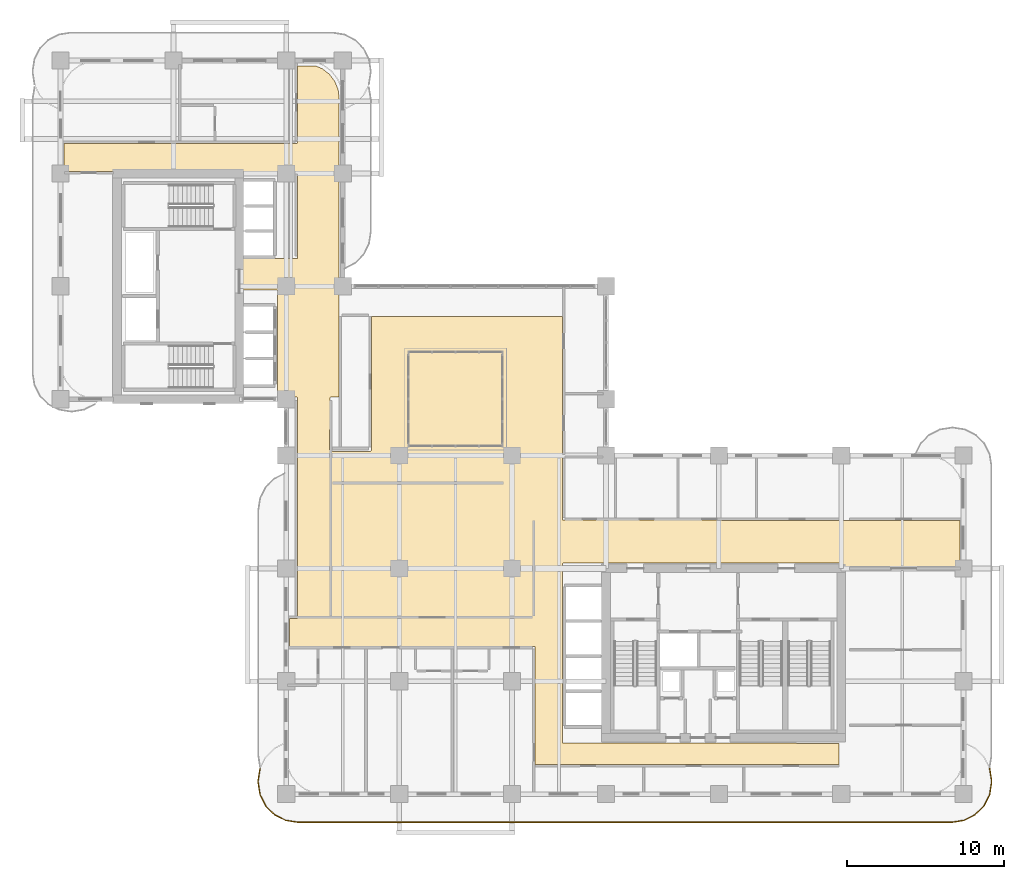
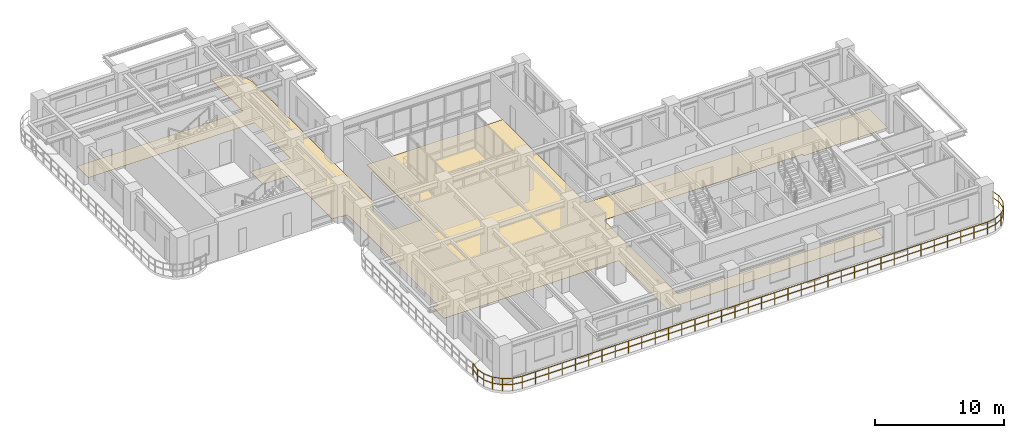
# One storey, part 19 of 22: 1 covering, 1 railing.
"""IFC4 building model written with IfcOpenShell, lengths in metres."""

from ifc_helpers import new_model, si_unit, derived_unit, direction, frame, origin, origin_2d, place, context, subcontext, project, spatial, polyline, rectangle, outline, extrude, material, layer, layer_set, type_object, element, save


model = new_model("IFC4")

# Units and contexts
model_context = context("Model", 3, precision=1e-05, world=origin(), true_north=direction((0.0, 1.0)))
body_context = subcontext(model_context, "Body", "Model", "MODEL_VIEW")
ifc_project = project(units=[si_unit("LENGTHUNIT", "METRE"), si_unit("AREAUNIT", "SQUARE_METRE"), si_unit("VOLUMEUNIT", "CUBIC_METRE"), si_unit("PLANEANGLEUNIT", "RADIAN"), si_unit("MASSUNIT", "GRAM", prefix="KILO"), si_unit("THERMODYNAMICTEMPERATUREUNIT", "KELVIN"), si_unit("POWERUNIT", "WATT"), derived_unit("THERMALTRANSMITTANCEUNIT", [(si_unit("POWERUNIT", "WATT"), 1), (si_unit("AREAUNIT", "SQUARE_METRE"), -1), (si_unit("THERMODYNAMICTEMPERATUREUNIT", "KELVIN"), -1)])], contexts=[model_context])

# Site, building, storey
site_placement = place(None, origin())
site = spatial("IfcSite", under=ifc_project, at=site_placement, CompositionType="ELEMENT")
building_placement = place(site_placement, origin())
building = spatial("IfcBuilding", under=site, at=building_placement, Name="Zahravan Archway Hotel and Residences", CompositionType="ELEMENT")
storey_placement = place(building_placement, frame((0.0, 0.0, 80.5)))
storey = spatial("IfcBuildingStorey", under=building, at=storey_placement, Name="L19", CompositionType="ELEMENT", Elevation=80.5)

# Covering
ifc_material_1 = material(Name="Engineered Walnut Parquet Flooring")
ifc_layer = layer(ifc_material_1, 0.02197265625, Name="Engineered Walnut Parquet Flooring")
ifc_layer_set = layer_set([ifc_layer], Name="Engineered Walnut Parquet Flooring")
covering_type = type_object("IfcCoveringType", Name="COV-FLR-TIMB", PredefinedType="FLOORING", material=ifc_layer_set)
covering_placement = place(storey_placement, origin())
element("IfcCovering", 1, at=covering_placement, inside=storey, type_object=covering_type, Name="L19 Circulation Floor Finish", PredefinedType="FLOORING", context=body_context, shape_type="SweptSolid", body=[
    extrude(outline(polyline([(30.280029296875, 1.8798828125), (30.280029296875, 9.35009765625), (30.2666015625, 9.394287109375), (30.230712890625, 9.423828125), (14.6201171875, 9.429931640625), (14.6201171875, 11.18994140625), (15.050048828125, 11.18994140625), (15.094482421875, 11.20361328125), (15.123779296875, 11.239501953125), (15.1298828125, 25.25), (15.116455078125, 25.29443359375), (15.08056640625, 25.323974609375), (14.5771484375, 25.330078125), (14.53955078125, 25.3701171875), (14.503662109375, 25.39404296875), (14.4638671875, 25.410400390625), (14.421630859375, 25.4189453125), (13.830078125, 25.419921875), (13.830078125, 32.10009765625), (13.81640625, 32.144287109375), (13.780517578125, 32.173828125), (11.530029296875, 32.179931640625), (11.530029296875, 34.169921875), (15.050048828125, 34.169921875), (15.094482421875, 34.18359375), (15.123779296875, 34.219482421875), (15.1298828125, 39.64990234375), (15.116455078125, 39.6943359375), (15.08056640625, 39.723876953125), (0.22998046875, 39.72998046875), (0.22998046875, 41.52001953125), (15.050048828125, 41.52001953125), (15.094482421875, 41.533447265625), (15.123779296875, 41.5693359375), (15.1298828125, 46.469970703125), (16.24560546875, 46.469970703125), (16.689208984375, 46.286376953125), (17.14013671875, 45.940185546875), (17.486328125, 45.489013671875), (17.703857421875, 44.9638671875), (17.77001953125, 44.46142578125), (17.77001953125, 25.330078125), (17.25, 25.330078125), (17.20556640625, 25.31640625), (17.176025390625, 25.280517578125), (17.169921875, 21.949951171875), (17.18359375, 21.905517578125), (17.219482421875, 21.876220703125), (19.75, 21.8701171875), (19.79443359375, 21.883544921875), (19.823974609375, 21.91943359375), (19.830078125, 30.469970703125), (32.02001953125, 30.469970703125), (32.02001953125, 17.550048828125), (32.033447265625, 17.505615234375), (32.0693359375, 17.47607421875), (57.3798828125, 17.469970703125), (57.3798828125, 14.530029296875), (49.830078125, 14.530029296875), (49.830078125, 14.675048828125), (49.81640625, 14.719482421875), (49.780517578125, 14.748779296875), (32.10009765625, 14.7548828125), (32.0556640625, 14.741455078125), (32.026123046875, 14.70556640625), (32.02001953125, 3.324951171875), (32.033447265625, 3.280517578125), (32.0693359375, 3.251220703125), (49.669921875, 3.2451171875), (49.669921875, 1.8798828125), (30.280029296875, 1.8798828125)])), origin(), (0.0, 0.0, 1.0), 0.02197265625),
])

# Railing
ifc_material_2 = material(Name="Bronze & Laminated Glass Balustrade", Category="glass")
railing_type = type_object("IfcRailingType", Name="RL-BAL-1200", PredefinedType="BALUSTRADE", material=ifc_material_2)
railing_placement = place(storey_placement, frame((59.275146484375, 1.637939453125, 0.0)))
element("IfcRailing", 2, at=railing_placement, inside=storey, type_object=railing_type, Name="L19 Balustrade RL-SLB-BAL-L19-SA-1", PredefinedType="BALUSTRADE", context=body_context, shape_type="SweptSolid", body=[
    extrude(rectangle(XDim=0.048095703125, YDim=0.048095703125, at=origin_2d()), frame((0.0, 0.0, 1.17578125), z_axis=(0.156402639467, -0.987693380745, 0.0), x_axis=(0.987693380745, 0.156402639467, 0.0)), (0.0, 0.0, 1.0), 0.797607421875),
    extrude(rectangle(XDim=0.048095703125, YDim=0.048095703125, at=origin_2d()), frame((0.0, 0.0, 0.60009765625), z_axis=(0.156402639467, -0.987693380745, 0.0), x_axis=(0.987693380745, 0.156402639467, 0.0)), (0.0, 0.0, 1.0), 0.797607421875),
    extrude(rectangle(XDim=0.048095703125, YDim=0.048095703125, at=origin_2d()), frame((0.124755859375, -0.787841796875, 1.17578125), z_axis=(0.0, -1.0, 0.0), x_axis=(1.0, 0.0, 0.0)), (0.0, 0.0, 1.0), 0.10009765625),
    extrude(rectangle(XDim=0.048095703125, YDim=0.048095703125, at=origin_2d()), frame((0.124755859375, -0.787841796875, 0.60009765625), z_axis=(0.0, -1.0, 0.0), x_axis=(1.0, 0.0, 0.0)), (0.0, 0.0, 1.0), 0.10009765625),
    extrude(rectangle(XDim=0.048095703125, YDim=0.048095703125, at=origin_2d()), frame((0.124755859375, -0.887939453125, 1.17578125), z_axis=(-0.156355372278, -0.987700864412, 0.0), x_axis=(0.987700864412, -0.156355372278, 0.0)), (0.0, 0.0, 1.0), 0.7978515625),
    extrude(rectangle(XDim=0.048095703125, YDim=0.048095703125, at=origin_2d()), frame((0.124755859375, -0.887939453125, 0.60009765625), z_axis=(-0.156355372278, -0.987700864412, 0.0), x_axis=(0.987700864412, -0.156355372278, 0.0)), (0.0, 0.0, 1.0), 0.7978515625),
    extrude(rectangle(XDim=0.048095703125, YDim=0.048095703125, at=origin_2d()), frame((0.0, -1.676025390625, 1.17578125), z_axis=(-0.453934952053, -0.891034824967, 0.0), x_axis=(0.891034824967, -0.453934952053, 0.0)), (0.0, 0.0, 1.0), 0.797607421875),
    extrude(rectangle(XDim=0.048095703125, YDim=0.048095703125, at=origin_2d()), frame((0.0, -1.676025390625, 0.60009765625), z_axis=(-0.453934952053, -0.891034824967, 0.0), x_axis=(0.891034824967, -0.453934952053, 0.0)), (0.0, 0.0, 1.0), 0.797607421875),
    extrude(rectangle(XDim=0.048095703125, YDim=0.048095703125, at=origin_2d()), frame((-0.362060546875, -2.38671875, 1.17578125), z_axis=(-0.707106781187, -0.707106781187, 0.0), x_axis=(0.707106781187, -0.707106781187, 0.0)), (0.0, 0.0, 1.0), 0.7978515625),
    extrude(rectangle(XDim=0.048095703125, YDim=0.048095703125, at=origin_2d()), frame((-0.362060546875, -2.38671875, 0.60009765625), z_axis=(-0.707106781187, -0.707106781187, 0.0), x_axis=(0.707106781187, -0.707106781187, 0.0)), (0.0, 0.0, 1.0), 0.7978515625),
    extrude(rectangle(XDim=0.048095703125, YDim=0.048095703125, at=origin_2d()), frame((-0.92626953125, -2.950927734375, 1.17578125), z_axis=(-0.890974108706, -0.454054113091, 0.0), x_axis=(0.454054113091, -0.890974108706, 0.0)), (0.0, 0.0, 1.0), 0.7978515625),
    extrude(rectangle(XDim=0.048095703125, YDim=0.048095703125, at=origin_2d()), frame((-0.92626953125, -2.950927734375, 0.60009765625), z_axis=(-0.890974108706, -0.454054113091, 0.0), x_axis=(0.454054113091, -0.890974108706, 0.0)), (0.0, 0.0, 1.0), 0.7978515625),
    extrude(rectangle(XDim=0.048095703125, YDim=0.048095703125, at=origin_2d()), frame((-1.63720703125, -3.313232421875, 1.17578125), z_axis=(-0.987693380745, -0.156402639467, 0.0), x_axis=(0.156402639467, -0.987693380745, 0.0)), (0.0, 0.0, 1.0), 0.797607421875),
    extrude(rectangle(XDim=0.048095703125, YDim=0.048095703125, at=origin_2d()), frame((-1.63720703125, -3.313232421875, 0.60009765625), z_axis=(-0.987693380745, -0.156402639467, 0.0), x_axis=(0.156402639467, -0.987693380745, 0.0)), (0.0, 0.0, 1.0), 0.797607421875),
    extrude(rectangle(XDim=0.048095703125, YDim=0.048095703125, at=origin_2d()), frame((-2.425048828125, -3.43798828125, 1.17578125), z_axis=(-1.0, 0.0, 0.0), x_axis=(0.0, -1.0, 0.0)), (0.0, 0.0, 1.0), 41.7001953125),
    extrude(rectangle(XDim=0.048095703125, YDim=0.048095703125, at=origin_2d()), frame((-2.425048828125, -3.43798828125, 0.60009765625), z_axis=(-1.0, 0.0, 0.0), x_axis=(0.0, -1.0, 0.0)), (0.0, 0.0, 1.0), 41.7001953125),
    extrude(rectangle(XDim=0.048095703125, YDim=0.048095703125, at=origin_2d()), frame((-44.125244140625, -3.43798828125, 1.17578125), z_axis=(-0.987693380745, 0.156402639467, 0.0), x_axis=(-0.156402639467, -0.987693380745, 0.0)), (0.0, 0.0, 1.0), 0.797607421875),
    extrude(rectangle(XDim=0.048095703125, YDim=0.048095703125, at=origin_2d()), frame((-44.125244140625, -3.43798828125, 0.60009765625), z_axis=(-0.987693380745, 0.156402639467, 0.0), x_axis=(-0.156402639467, -0.987693380745, 0.0)), (0.0, 0.0, 1.0), 0.797607421875),
    extrude(rectangle(XDim=0.048095703125, YDim=0.048095703125, at=origin_2d()), frame((-44.9130859375, -3.313232421875, 1.17578125), z_axis=(-0.890974108706, 0.454054113091, 0.0), x_axis=(-0.454054113091, -0.890974108706, 0.0)), (0.0, 0.0, 1.0), 0.7978515625),
    extrude(rectangle(XDim=0.048095703125, YDim=0.048095703125, at=origin_2d()), frame((-44.9130859375, -3.313232421875, 0.60009765625), z_axis=(-0.890974108706, 0.454054113091, 0.0), x_axis=(-0.454054113091, -0.890974108706, 0.0)), (0.0, 0.0, 1.0), 0.7978515625),
    extrude(rectangle(XDim=0.048095703125, YDim=0.048095703125, at=origin_2d()), frame((-45.6240234375, -2.950927734375, 1.17578125), z_axis=(-0.707106781187, 0.707106781187, 0.0), x_axis=(-0.707106781187, -0.707106781187, 0.0)), (0.0, 0.0, 1.0), 0.7978515625),
    extrude(rectangle(XDim=0.048095703125, YDim=0.048095703125, at=origin_2d()), frame((-45.6240234375, -2.950927734375, 0.60009765625), z_axis=(-0.707106781187, 0.707106781187, 0.0), x_axis=(-0.707106781187, -0.707106781187, 0.0)), (0.0, 0.0, 1.0), 0.7978515625),
    extrude(rectangle(XDim=0.048095703125, YDim=0.048095703125, at=origin_2d()), frame((-46.188232421875, -2.38671875, 1.17578125), z_axis=(-0.453934952053, 0.891034824967, 0.0), x_axis=(-0.891034824967, -0.453934952053, 0.0)), (0.0, 0.0, 1.0), 0.797607421875),
    extrude(rectangle(XDim=0.048095703125, YDim=0.048095703125, at=origin_2d()), frame((-46.188232421875, -2.38671875, 0.60009765625), z_axis=(-0.453934952053, 0.891034824967, 0.0), x_axis=(-0.891034824967, -0.453934952053, 0.0)), (0.0, 0.0, 1.0), 0.797607421875),
    extrude(rectangle(XDim=0.048095703125, YDim=0.048095703125, at=origin_2d()), frame((-46.55029296875, -1.676025390625, 1.17578125), z_axis=(-0.156355372278, 0.987700864412, 0.0), x_axis=(-0.987700864412, -0.156355372278, 0.0)), (0.0, 0.0, 1.0), 0.7978515625),
    extrude(rectangle(XDim=0.048095703125, YDim=0.048095703125, at=origin_2d()), frame((-46.55029296875, -1.676025390625, 0.60009765625), z_axis=(-0.156355372278, 0.987700864412, 0.0), x_axis=(-0.987700864412, -0.156355372278, 0.0)), (0.0, 0.0, 1.0), 0.7978515625),
    extrude(rectangle(XDim=0.048095703125, YDim=0.048095703125, at=origin_2d()), frame((-46.675048828125, -0.887939453125, 1.17578125), z_axis=(0.0, 1.0, 0.0), x_axis=(-1.0, 0.0, 0.0)), (0.0, 0.0, 1.0), 0.10009765625),
    extrude(rectangle(XDim=0.048095703125, YDim=0.048095703125, at=origin_2d()), frame((-46.675048828125, -0.887939453125, 0.60009765625), z_axis=(0.0, 1.0, 0.0), x_axis=(-1.0, 0.0, 0.0)), (0.0, 0.0, 1.0), 0.10009765625),
    extrude(rectangle(XDim=0.048095703125, YDim=0.048095703125, at=origin_2d()), frame((-46.675048828125, -0.787841796875, 1.17578125), z_axis=(0.156402639467, 0.987693380745, 0.0), x_axis=(-0.987693380745, 0.156402639467, 0.0)), (0.0, 0.0, 1.0), 0.797607421875),
    extrude(rectangle(XDim=0.048095703125, YDim=0.048095703125, at=origin_2d()), frame((-46.675048828125, -0.787841796875, 0.60009765625), z_axis=(0.156402639467, 0.987693380745, 0.0), x_axis=(-0.987693380745, 0.156402639467, 0.0)), (0.0, 0.0, 1.0), 0.797607421875),
    extrude(rectangle(XDim=0.0419921875, YDim=0.0419921875, at=origin_2d()), origin(), (0.0, 0.0, 1.0), 1.15185546875),
    extrude(rectangle(XDim=0.0419921875, YDim=0.0419921875, at=origin_2d()), frame((0.124755859375, -0.787841796875, 0.0)), (0.0, 0.0, 1.0), 1.15185546875),
    extrude(rectangle(XDim=0.0419921875, YDim=0.0419921875, at=origin_2d()), frame((0.0, -1.676025390625, 0.0)), (0.0, 0.0, 1.0), 1.15185546875),
    extrude(rectangle(XDim=0.0419921875, YDim=0.0419921875, at=origin_2d()), frame((-0.362060546875, -2.38671875, 0.0)), (0.0, 0.0, 1.0), 1.15185546875),
    extrude(rectangle(XDim=0.0419921875, YDim=0.0419921875, at=origin_2d()), frame((-0.92626953125, -2.950927734375, 0.0)), (0.0, 0.0, 1.0), 1.15185546875),
    extrude(rectangle(XDim=0.0419921875, YDim=0.0419921875, at=origin_2d()), frame((-1.63720703125, -3.313232421875, 0.0)), (0.0, 0.0, 1.0), 1.15185546875),
    extrude(rectangle(XDim=0.0419921875, YDim=0.0419921875, at=origin_2d()), frame((-2.425048828125, -3.43798828125, 0.0)), (0.0, 0.0, 1.0), 1.15185546875),
    extrude(rectangle(XDim=0.0419921875, YDim=0.0419921875, at=origin_2d()), frame((-3.616455078125, -3.43798828125, 0.0)), (0.0, 0.0, 1.0), 1.15185546875),
    extrude(rectangle(XDim=0.0419921875, YDim=0.0419921875, at=origin_2d()), frame((-4.807861328125, -3.43798828125, 0.0)), (0.0, 0.0, 1.0), 1.15185546875),
    extrude(rectangle(XDim=0.0419921875, YDim=0.0419921875, at=origin_2d()), frame((-5.999267578125, -3.43798828125, 0.0)), (0.0, 0.0, 1.0), 1.15185546875),
    extrude(rectangle(XDim=0.0419921875, YDim=0.0419921875, at=origin_2d()), frame((-7.190673828125, -3.43798828125, 0.0)), (0.0, 0.0, 1.0), 1.15185546875),
    extrude(rectangle(XDim=0.0419921875, YDim=0.0419921875, at=origin_2d()), frame((-8.38232421875, -3.43798828125, 0.0)), (0.0, 0.0, 1.0), 1.15185546875),
    extrude(rectangle(XDim=0.0419921875, YDim=0.0419921875, at=origin_2d()), frame((-9.57373046875, -3.43798828125, 0.0)), (0.0, 0.0, 1.0), 1.15185546875),
    extrude(rectangle(XDim=0.0419921875, YDim=0.0419921875, at=origin_2d()), frame((-10.76513671875, -3.43798828125, 0.0)), (0.0, 0.0, 1.0), 1.15185546875),
    extrude(rectangle(XDim=0.0419921875, YDim=0.0419921875, at=origin_2d()), frame((-11.95654296875, -3.43798828125, 0.0)), (0.0, 0.0, 1.0), 1.15185546875),
    extrude(rectangle(XDim=0.0419921875, YDim=0.0419921875, at=origin_2d()), frame((-13.14794921875, -3.43798828125, 0.0)), (0.0, 0.0, 1.0), 1.15185546875),
    extrude(rectangle(XDim=0.0419921875, YDim=0.0419921875, at=origin_2d()), frame((-14.33935546875, -3.43798828125, 0.0)), (0.0, 0.0, 1.0), 1.15185546875),
    extrude(rectangle(XDim=0.0419921875, YDim=0.0419921875, at=origin_2d()), frame((-15.53076171875, -3.43798828125, 0.0)), (0.0, 0.0, 1.0), 1.15185546875),
    extrude(rectangle(XDim=0.0419921875, YDim=0.0419921875, at=origin_2d()), frame((-16.72216796875, -3.43798828125, 0.0)), (0.0, 0.0, 1.0), 1.15185546875),
    extrude(rectangle(XDim=0.0419921875, YDim=0.0419921875, at=origin_2d()), frame((-17.91357421875, -3.43798828125, 0.0)), (0.0, 0.0, 1.0), 1.15185546875),
    extrude(rectangle(XDim=0.0419921875, YDim=0.0419921875, at=origin_2d()), frame((-19.105224609375, -3.43798828125, 0.0)), (0.0, 0.0, 1.0), 1.15185546875),
    extrude(rectangle(XDim=0.0419921875, YDim=0.0419921875, at=origin_2d()), frame((-20.296630859375, -3.43798828125, 0.0)), (0.0, 0.0, 1.0), 1.15185546875),
    extrude(rectangle(XDim=0.0419921875, YDim=0.0419921875, at=origin_2d()), frame((-21.488037109375, -3.43798828125, 0.0)), (0.0, 0.0, 1.0), 1.15185546875),
    extrude(rectangle(XDim=0.0419921875, YDim=0.0419921875, at=origin_2d()), frame((-22.679443359375, -3.43798828125, 0.0)), (0.0, 0.0, 1.0), 1.15185546875),
    extrude(rectangle(XDim=0.0419921875, YDim=0.0419921875, at=origin_2d()), frame((-23.870849609375, -3.43798828125, 0.0)), (0.0, 0.0, 1.0), 1.15185546875),
    extrude(rectangle(XDim=0.0419921875, YDim=0.0419921875, at=origin_2d()), frame((-25.062255859375, -3.43798828125, 0.0)), (0.0, 0.0, 1.0), 1.15185546875),
    extrude(rectangle(XDim=0.0419921875, YDim=0.0419921875, at=origin_2d()), frame((-26.253662109375, -3.43798828125, 0.0)), (0.0, 0.0, 1.0), 1.15185546875),
    extrude(rectangle(XDim=0.0419921875, YDim=0.0419921875, at=origin_2d()), frame((-27.445068359375, -3.43798828125, 0.0)), (0.0, 0.0, 1.0), 1.15185546875),
    extrude(rectangle(XDim=0.0419921875, YDim=0.0419921875, at=origin_2d()), frame((-28.63671875, -3.43798828125, 0.0)), (0.0, 0.0, 1.0), 1.15185546875),
    extrude(rectangle(XDim=0.0419921875, YDim=0.0419921875, at=origin_2d()), frame((-29.828125, -3.43798828125, 0.0)), (0.0, 0.0, 1.0), 1.15185546875),
    extrude(rectangle(XDim=0.0419921875, YDim=0.0419921875, at=origin_2d()), frame((-31.01953125, -3.43798828125, 0.0)), (0.0, 0.0, 1.0), 1.15185546875),
    extrude(rectangle(XDim=0.0419921875, YDim=0.0419921875, at=origin_2d()), frame((-32.2109375, -3.43798828125, 0.0)), (0.0, 0.0, 1.0), 1.15185546875),
    extrude(rectangle(XDim=0.0419921875, YDim=0.0419921875, at=origin_2d()), frame((-33.40234375, -3.43798828125, 0.0)), (0.0, 0.0, 1.0), 1.15185546875),
    extrude(rectangle(XDim=0.0419921875, YDim=0.0419921875, at=origin_2d()), frame((-34.59375, -3.43798828125, 0.0)), (0.0, 0.0, 1.0), 1.15185546875),
    extrude(rectangle(XDim=0.0419921875, YDim=0.0419921875, at=origin_2d()), frame((-35.78515625, -3.43798828125, 0.0)), (0.0, 0.0, 1.0), 1.15185546875),
    extrude(rectangle(XDim=0.0419921875, YDim=0.0419921875, at=origin_2d()), frame((-36.9765625, -3.43798828125, 0.0)), (0.0, 0.0, 1.0), 1.15185546875),
    extrude(rectangle(XDim=0.0419921875, YDim=0.0419921875, at=origin_2d()), frame((-38.16796875, -3.43798828125, 0.0)), (0.0, 0.0, 1.0), 1.15185546875),
    extrude(rectangle(XDim=0.0419921875, YDim=0.0419921875, at=origin_2d()), frame((-39.359619140625, -3.43798828125, 0.0)), (0.0, 0.0, 1.0), 1.15185546875),
    extrude(rectangle(XDim=0.0419921875, YDim=0.0419921875, at=origin_2d()), frame((-40.551025390625, -3.43798828125, 0.0)), (0.0, 0.0, 1.0), 1.15185546875),
    extrude(rectangle(XDim=0.0419921875, YDim=0.0419921875, at=origin_2d()), frame((-41.742431640625, -3.43798828125, 0.0)), (0.0, 0.0, 1.0), 1.15185546875),
    extrude(rectangle(XDim=0.0419921875, YDim=0.0419921875, at=origin_2d()), frame((-42.933837890625, -3.43798828125, 0.0)), (0.0, 0.0, 1.0), 1.15185546875),
    extrude(rectangle(XDim=0.0419921875, YDim=0.0419921875, at=origin_2d()), frame((-44.125244140625, -3.43798828125, 0.0)), (0.0, 0.0, 1.0), 1.15185546875),
    extrude(rectangle(XDim=0.0419921875, YDim=0.0419921875, at=origin_2d()), frame((-44.9130859375, -3.313232421875, 0.0)), (0.0, 0.0, 1.0), 1.15185546875),
    extrude(rectangle(XDim=0.0419921875, YDim=0.0419921875, at=origin_2d()), frame((-45.6240234375, -2.950927734375, 0.0)), (0.0, 0.0, 1.0), 1.15185546875),
    extrude(rectangle(XDim=0.0419921875, YDim=0.0419921875, at=origin_2d()), frame((-46.188232421875, -2.38671875, 0.0)), (0.0, 0.0, 1.0), 1.15185546875),
    extrude(rectangle(XDim=0.0419921875, YDim=0.0419921875, at=origin_2d()), frame((-46.55029296875, -1.676025390625, 0.0)), (0.0, 0.0, 1.0), 1.15185546875),
    extrude(rectangle(XDim=0.0419921875, YDim=0.0419921875, at=origin_2d()), frame((-46.675048828125, -0.887939453125, 0.0)), (0.0, 0.0, 1.0), 1.15185546875),
    extrude(rectangle(XDim=0.0419921875, YDim=0.0419921875, at=origin_2d()), frame((-46.55029296875, 0.0, 0.0)), (0.0, 0.0, 1.0), 1.15185546875),
])

save(model, "model.ifc")
